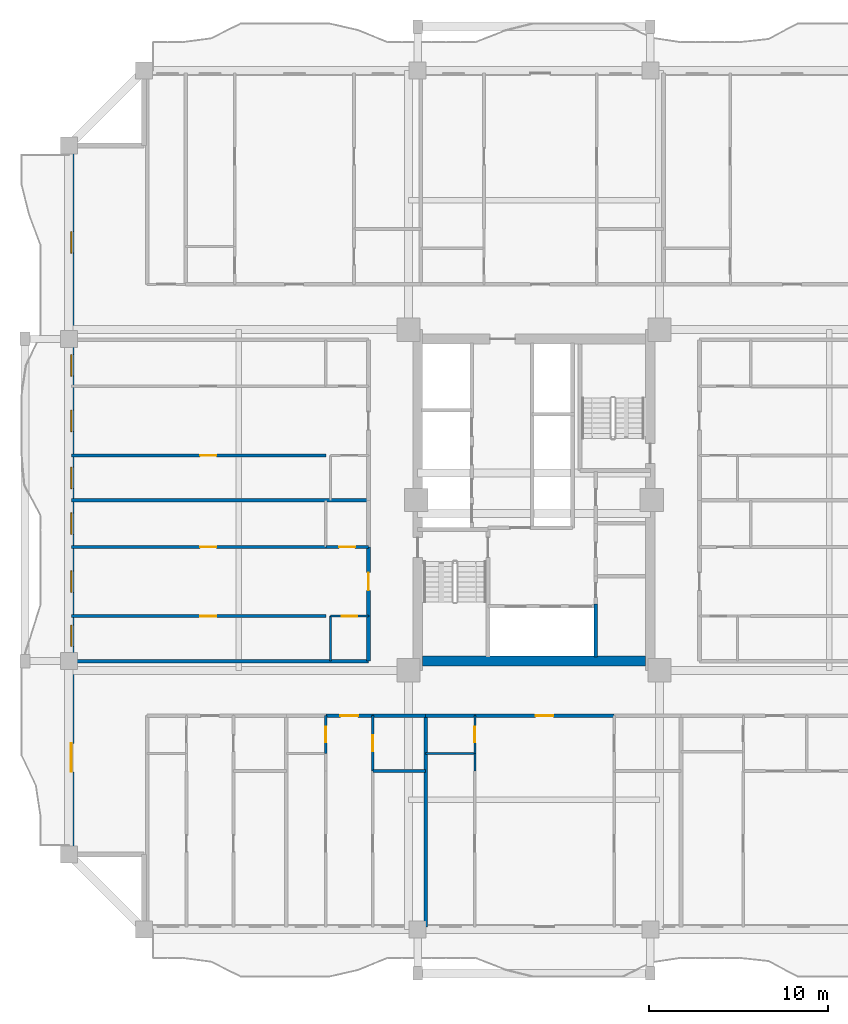
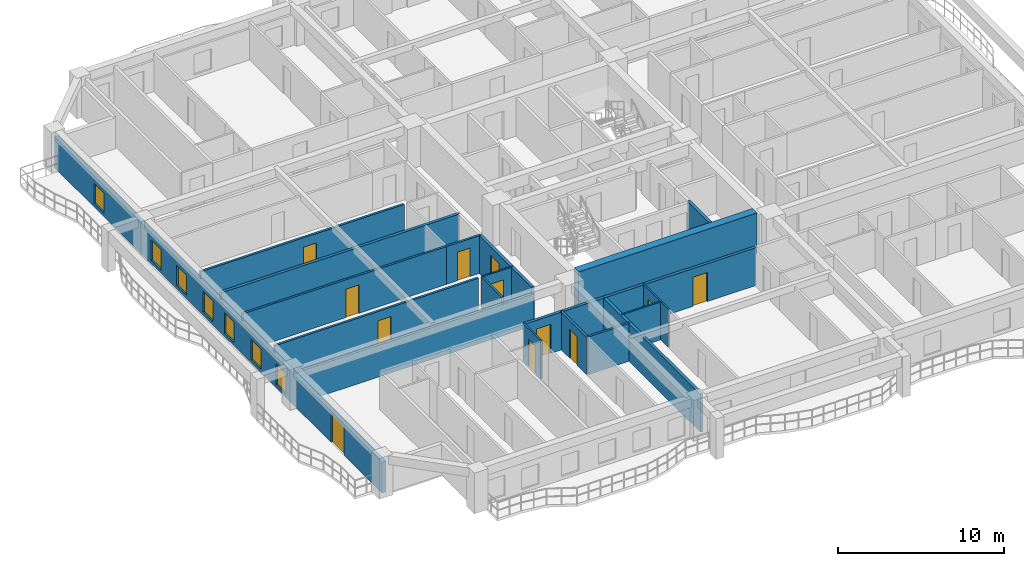
# One storey, part 3 of 13: 24 walls, 12 doors, 7 windows, 19 openings.
"""IFC4 building model written with IfcOpenShell, lengths in metres."""

from ifc_helpers import new_model, si_unit, direction, frame, frame_2d, origin, place, context, subcontext, project, spatial, rectangle, extrude, source, transform, mapped, material, layer, layer_set, type_object, element, fill, save


model = new_model("IFC4")

# Units and contexts
model_context = context("Model", 3, precision=1e-05, world=origin(), true_north=direction((0.0, 1.0)))
body_context = subcontext(model_context, "Body", "Model", "MODEL_VIEW")
ifc_project = project(units=[si_unit("LENGTHUNIT", "METRE"), si_unit("AREAUNIT", "SQUARE_METRE"), si_unit("VOLUMEUNIT", "CUBIC_METRE"), si_unit("PLANEANGLEUNIT", "RADIAN"), si_unit("MASSUNIT", "GRAM", prefix="KILO")], contexts=[model_context])

# Site, building, storey
site_placement = place(None, origin())
site = spatial("IfcSite", under=ifc_project, at=site_placement, CompositionType="ELEMENT")
building_placement = place(site_placement, origin())
building = spatial("IfcBuilding", under=site, at=building_placement, Name="Saelheon Loggia Tower", CompositionType="ELEMENT")
storey_placement = place(building_placement, frame((0.0, 0.0, 83.85009765625)))
storey = spatial("IfcBuildingStorey", under=building, at=storey_placement, Name="L26", CompositionType="ELEMENT", Elevation=83.85009765625)

# Wall
ifc_material_1 = material(Name="Concrete C50/60", Category="concrete")
ifc_layer_1 = layer(ifc_material_1, 0.550048828125)
ifc_layer_set_1 = layer_set([ifc_layer_1], Name="Concrete C50/60")
wall_type_1 = type_object("IfcWallType", Name="Wall_CoreShear_550", PredefinedType="SHEAR", material=ifc_layer_set_1)
wall_1_placement = place(storey_placement, frame((31.77490234375, 18.0, 0.0), z_axis=(0.0, 0.0, 1.0), x_axis=(1.0, 0.0, 0.0)))
element("IfcWall", 1, at=wall_1_placement, inside=storey, type_object=wall_type_1, Name="L26 Core Shear Wall South", PredefinedType="SHEAR", context=body_context, shape_type="SweptSolid", body=[
    extrude(rectangle(XDim=12.4501953125, YDim=0.550048828125, at=frame_2d((6.22509765625, 0.0))), origin(), (0.0, 0.0, 1.0), 3.0),
])

# Wall, openings, windows, door
ifc_material_2 = material(Name="Architectural Precast Concrete C40/50", Category="concrete")
ifc_layer_2 = layer(ifc_material_2, 0.280029296875)
ifc_layer_set_2 = layer_set([ifc_layer_2], Name="Architectural Precast Concrete C40/50")
wall_type_2 = type_object("IfcWallType", Name="Wall_Ext_Loggia_280", PredefinedType="SOLIDWALL", material=ifc_layer_set_2)
wall_2_placement = place(storey_placement, frame((12.139892578125, 7.199951171875, 0.0), z_axis=(0.0, 0.0, 1.0), x_axis=(0.0, 1.0, 0.0)))
wall_2 = element("IfcWall", 2, at=wall_2_placement, inside=storey, type_object=wall_type_2, Name="L26 West Loggia Inner Wall", PredefinedType="SOLIDWALL", context=body_context, shape_type="SweptSolid", body=[
    extrude(rectangle(XDim=39.60009765625, YDim=0.280029296875, at=frame_2d((19.800048828125, 0.0))), origin(), (0.0, 0.0, 1.0), 2.27978515625),
])
opening_1_placement = place(wall_2_placement, frame((4.60009765625, 0.0, 0.0)))
opening_1 = element("IfcOpeningElement", 3, at=opening_1_placement, cuts=wall_2, Name="Opening DLG-1", PredefinedType="OPENING", context=body_context, shape_type="SweptSolid", body=[
    extrude(rectangle(XDim=1.60009765625, YDim=2.14990234375, at=frame_2d((0.800048828125, 1.074951171875))), frame((0.0, 0.152099609375, 0.0), z_axis=(0.0, -1.0, 0.0), x_axis=(1.0, 0.0, 0.0)), (0.0, 0.0, 1.0), 0.303955078125),
])
opening_2_placement = place(wall_2_placement, frame((11.614013671875, 0.0, 0.25)))
opening_2 = element("IfcOpeningElement", 4, at=opening_2_placement, cuts=wall_2, Name="Opening WN-03", PredefinedType="OPENING", context=body_context, shape_type="SweptSolid", body=[
    extrude(rectangle(XDim=1.199951171875, YDim=1.5, at=frame_2d((0.60009765625, 0.75))), frame((0.0, 0.152099609375, 0.0), z_axis=(0.0, -1.0, 0.0), x_axis=(1.0, 0.0, 0.0)), (0.0, 0.0, 1.0), 0.303955078125),
])
opening_3_placement = place(wall_2_placement, frame((14.64404296875, 0.0, 0.25)))
opening_3 = element("IfcOpeningElement", 5, at=opening_3_placement, cuts=wall_2, Name="Opening WN-03", PredefinedType="OPENING", context=body_context, shape_type="SweptSolid", body=[
    extrude(rectangle(XDim=1.199951171875, YDim=1.5, at=frame_2d((0.60009765625, 0.75))), frame((0.0, 0.152099609375, 0.0), z_axis=(0.0, -1.0, 0.0), x_axis=(1.0, 0.0, 0.0)), (0.0, 0.0, 1.0), 0.303955078125),
])
opening_4_placement = place(wall_2_placement, frame((17.875, 0.0, 0.25)))
opening_4 = element("IfcOpeningElement", 6, at=opening_4_placement, cuts=wall_2, Name="Opening WN-03", PredefinedType="OPENING", context=body_context, shape_type="SweptSolid", body=[
    extrude(rectangle(XDim=1.199951171875, YDim=1.5, at=frame_2d((0.60009765625, 0.75))), frame((0.0, 0.152099609375, 0.0), z_axis=(0.0, -1.0, 0.0), x_axis=(1.0, 0.0, 0.0)), (0.0, 0.0, 1.0), 0.303955078125),
])
opening_5_placement = place(wall_2_placement, frame((20.431396484375, 0.0, 0.25)))
opening_5 = element("IfcOpeningElement", 7, at=opening_5_placement, cuts=wall_2, Name="Opening WN-03", PredefinedType="OPENING", context=body_context, shape_type="SweptSolid", body=[
    extrude(rectangle(XDim=1.199951171875, YDim=1.5, at=frame_2d((0.60009765625, 0.75))), frame((0.0, 0.152099609375, 0.0), z_axis=(0.0, -1.0, 0.0), x_axis=(1.0, 0.0, 0.0)), (0.0, 0.0, 1.0), 0.303955078125),
])
opening_6_placement = place(wall_2_placement, frame((23.618896484375, 0.0, 0.25)))
opening_6 = element("IfcOpeningElement", 8, at=opening_6_placement, cuts=wall_2, Name="Opening WN-03", PredefinedType="OPENING", context=body_context, shape_type="SweptSolid", body=[
    extrude(rectangle(XDim=1.199951171875, YDim=1.5, at=frame_2d((0.60009765625, 0.75))), frame((0.0, 0.152099609375, 0.0), z_axis=(0.0, -1.0, 0.0), x_axis=(1.0, 0.0, 0.0)), (0.0, 0.0, 1.0), 0.303955078125),
])
opening_7_placement = place(wall_2_placement, frame((26.717529296875, 0.0, 0.25)))
opening_7 = element("IfcOpeningElement", 9, at=opening_7_placement, cuts=wall_2, Name="Opening WN-03", PredefinedType="OPENING", context=body_context, shape_type="SweptSolid", body=[
    extrude(rectangle(XDim=1.199951171875, YDim=1.5, at=frame_2d((0.60009765625, 0.75))), frame((0.0, 0.152099609375, 0.0), z_axis=(0.0, -1.0, 0.0), x_axis=(1.0, 0.0, 0.0)), (0.0, 0.0, 1.0), 0.303955078125),
])
opening_8_placement = place(wall_2_placement, frame((33.60009765625, 0.0, 0.25)))
opening_8 = element("IfcOpeningElement", 10, at=opening_8_placement, cuts=wall_2, Name="Opening WN-03", PredefinedType="OPENING", context=body_context, shape_type="SweptSolid", body=[
    extrude(rectangle(XDim=1.199951171875, YDim=1.5, at=frame_2d((0.60009765625, 0.75))), frame((0.0, 0.152099609375, 0.0), z_axis=(0.0, -1.0, 0.0), x_axis=(1.0, 0.0, 0.0)), (0.0, 0.0, 1.0), 0.303955078125),
])
ifc_material_3 = material(Name="Thermal-Break Aluminium and Triple Low-E Glass", Category="aluminium")
window_type = type_object("IfcWindowType", Name="Win_Bedroom_1200x1500", PartitioningType="SINGLE_PANEL", PredefinedType="WINDOW", material=ifc_material_3)
shared_shape_1 = source(origin(), body_context, "Body", "SweptSolid", [
    extrude(rectangle(XDim=1.199951171875, YDim=1.5, at=frame_2d((0.60009765625, 0.75))), frame((0.0, 0.030029296875, 0.0), z_axis=(0.0, -1.0, 0.0), x_axis=(1.0, 0.0, 0.0)), (0.0, 0.0, 1.0), 0.06005859375),
])
window_1_placement = place(opening_2_placement, origin())
window_1 = element("IfcWindow", 11, at=window_1_placement, inside=storey, type_object=window_type, Name="L26 W Dwelling Window 2", OverallHeight=1.5, OverallWidth=1.199951171875, PartitioningType="SINGLE_PANEL", PredefinedType="WINDOW", context=body_context, shape_type="MappedRepresentation", body=[
    mapped(shared_shape_1, transform((0.0, 0.0, 0.0), scale=1.0)),
])
fill(opening_2, window_1)
window_2_placement = place(opening_3_placement, origin())
window_2 = element("IfcWindow", 12, at=window_2_placement, inside=storey, type_object=window_type, Name="L26 W Dwelling Window 3", OverallHeight=1.5, OverallWidth=1.199951171875, PartitioningType="SINGLE_PANEL", PredefinedType="WINDOW", context=body_context, shape_type="MappedRepresentation", body=[
    mapped(shared_shape_1, transform((0.0, 0.0, 0.0), scale=1.0)),
])
fill(opening_3, window_2)
window_3_placement = place(opening_4_placement, origin())
window_3 = element("IfcWindow", 13, at=window_3_placement, inside=storey, type_object=window_type, Name="L26 W Dwelling Window 4", OverallHeight=1.5, OverallWidth=1.199951171875, PartitioningType="SINGLE_PANEL", PredefinedType="WINDOW", context=body_context, shape_type="MappedRepresentation", body=[
    mapped(shared_shape_1, transform((0.0, 0.0, 0.0), scale=1.0)),
])
fill(opening_4, window_3)
window_4_placement = place(opening_5_placement, origin())
window_4 = element("IfcWindow", 14, at=window_4_placement, inside=storey, type_object=window_type, Name="L26 W Dwelling Window 5", OverallHeight=1.5, OverallWidth=1.199951171875, PartitioningType="SINGLE_PANEL", PredefinedType="WINDOW", context=body_context, shape_type="MappedRepresentation", body=[
    mapped(shared_shape_1, transform((0.0, 0.0, 0.0), scale=1.0)),
])
fill(opening_5, window_4)
window_5_placement = place(opening_6_placement, origin())
window_5 = element("IfcWindow", 15, at=window_5_placement, inside=storey, type_object=window_type, Name="L26 W Dwelling Window 6", OverallHeight=1.5, OverallWidth=1.199951171875, PartitioningType="SINGLE_PANEL", PredefinedType="WINDOW", context=body_context, shape_type="MappedRepresentation", body=[
    mapped(shared_shape_1, transform((0.0, 0.0, 0.0), scale=1.0)),
])
fill(opening_6, window_5)
window_6_placement = place(opening_7_placement, origin())
window_6 = element("IfcWindow", 16, at=window_6_placement, inside=storey, type_object=window_type, Name="L26 W Dwelling Window 7", OverallHeight=1.5, OverallWidth=1.199951171875, PartitioningType="SINGLE_PANEL", PredefinedType="WINDOW", context=body_context, shape_type="MappedRepresentation", body=[
    mapped(shared_shape_1, transform((0.0, 0.0, 0.0), scale=1.0)),
])
fill(opening_7, window_6)
window_7_placement = place(opening_8_placement, origin())
window_7 = element("IfcWindow", 17, at=window_7_placement, inside=storey, type_object=window_type, Name="L26 W Dwelling Window 8", OverallHeight=1.5, OverallWidth=1.199951171875, PartitioningType="SINGLE_PANEL", PredefinedType="WINDOW", context=body_context, shape_type="MappedRepresentation", body=[
    mapped(shared_shape_1, transform((0.0, 0.0, 0.0), scale=1.0)),
])
fill(opening_8, window_7)
ifc_material_4 = material(Name="Thermal-Break Aluminium Sliding Glazed Door", Category="aluminium")
door_type_1 = type_object("IfcDoorType", Name="Door_LoggiaSlide_1600", OperationType="SLIDING_TO_LEFT", PredefinedType="DOOR", material=ifc_material_4)
shared_shape_2 = source(origin(), body_context, "Body", "SweptSolid", [
    extrude(rectangle(XDim=1.60009765625, YDim=2.14990234375, at=frame_2d((0.800048828125, 1.074951171875))), frame((0.0, 0.02490234375, 0.0), z_axis=(0.0, -1.0, 0.0), x_axis=(1.0, 0.0, 0.0)), (0.0, 0.0, 1.0), 0.050048828125),
])
door_1_placement = place(opening_1_placement, origin())
door_1 = element("IfcDoor", 18, at=door_1_placement, inside=storey, type_object=door_type_1, Name="L26 W Loggia Access Door", OperationType="SLIDING_TO_LEFT", OverallHeight=2.14990234375, OverallWidth=1.60009765625, PredefinedType="DOOR", context=body_context, shape_type="MappedRepresentation", body=[
    mapped(shared_shape_2, transform((0.0, 0.0, 0.0), scale=1.0)),
])
fill(opening_1, door_1)

# Wall
ifc_material_5 = material(Name="Lightweight Autoclaved Aerated Concrete Block and Acoustic Gypsum", Category="concrete")
ifc_layer_3 = layer(ifc_material_5, 0.14990234375)
ifc_layer_set_3 = layer_set([ifc_layer_3], Name="Lightweight Autoclaved Aerated Concrete Block and Acoustic Gypsum")
wall_type_3 = type_object("IfcWallType", Name="Wall_Part_150", PredefinedType="PARTITIONING", material=ifc_layer_set_3)
wall_3_placement = place(storey_placement, frame((28.98876953125, 11.85009765625, 0.0), z_axis=(0.0, 0.0, 1.0), x_axis=(1.0, 0.0, 0.0)))
element("IfcWall", 19, at=wall_3_placement, inside=storey, type_object=wall_type_3, Name="L26 S Partition V18", PredefinedType="PARTITIONING", context=body_context, shape_type="SweptSolid", body=[
    extrude(rectangle(XDim=2.95751953125, YDim=0.14990234375, at=frame_2d((1.478759765625, 0.0))), origin(), (0.0, 0.0, 1.0), 2.789794921875),
])

# Wall, opening, door
wall_4_placement = place(storey_placement, frame((28.98876953125, 14.949951171875, 0.0), z_axis=(0.0, 0.0, 1.0), x_axis=(0.0, -1.0, 0.0)))
wall_4 = element("IfcWall", 20, at=wall_4_placement, inside=storey, type_object=wall_type_3, Name="L26 S Partition U22", PredefinedType="PARTITIONING", context=body_context, shape_type="SweptSolid", body=[
    extrude(rectangle(XDim=3.099853515625, YDim=0.14990234375, at=frame_2d((1.5498046875, 0.0))), origin(), (0.0, 0.0, 1.0), 2.789794921875),
])
opening_9_placement = place(wall_4_placement, frame((1.10009765625, 0.0, 0.0)))
opening_9 = element("IfcOpeningElement", 21, at=opening_9_placement, cuts=wall_4, Name="Opening D-IN2", PredefinedType="OPENING", context=body_context, shape_type="SweptSolid", body=[
    extrude(rectangle(XDim=0.89990234375, YDim=2.10009765625, at=frame_2d((0.449951171875, 1.050048828125))), frame((0.0, 0.0869140625, 0.0), z_axis=(0.0, -1.0, 0.0), x_axis=(1.0, 0.0, 0.0)), (0.0, 0.0, 1.0), 0.173828125),
])
ifc_material_6 = material(Name="Engineered Oak Flush Door", Category="timber")
door_type_2 = type_object("IfcDoorType", Name="Door_Int_900", OperationType="NOTDEFINED", PredefinedType="DOOR", material=ifc_material_6)
shared_shape_3 = source(origin(), body_context, "Body", "SweptSolid", [
    extrude(rectangle(XDim=0.89990234375, YDim=2.10009765625, at=frame_2d((0.449951171875, 1.050048828125))), frame((0.0, 0.02490234375, 0.0), z_axis=(0.0, -1.0, 0.0), x_axis=(1.0, 0.0, 0.0)), (0.0, 0.0, 1.0), 0.050048828125),
])
door_2_placement = place(opening_9_placement, origin())
door_2 = element("IfcDoor", 22, at=door_2_placement, inside=storey, type_object=door_type_2, Name="Unit U02 Dressing Closet Door", OperationType="SINGLE_SWING_RIGHT", OverallHeight=2.10009765625, OverallWidth=0.89990234375, PredefinedType="DOOR", context=body_context, shape_type="MappedRepresentation", body=[
    mapped(shared_shape_3, transform((0.0, 0.0, 0.0), scale=1.0)),
])
fill(opening_9, door_2)

wall_5_placement = place(storey_placement, frame((26.3701171875, 20.512939453125, 0.0), z_axis=(0.0, 0.0, 1.0), x_axis=(-1.0, 0.0, 0.0)))
wall_5 = element("IfcWall", 23, at=wall_5_placement, inside=storey, type_object=wall_type_3, Name="L26 W Partition U09", PredefinedType="PARTITIONING", context=body_context, shape_type="SweptSolid", body=[
    extrude(rectangle(XDim=14.22021484375, YDim=0.14990234375, at=frame_2d((7.110107421875, 0.0))), origin(), (0.0, 0.0, 1.0), 2.789794921875),
])
opening_10_placement = place(wall_5_placement, frame((6.125, 0.0, 0.0)))
opening_10 = element("IfcOpeningElement", 24, at=opening_10_placement, cuts=wall_5, Name="Opening D-IN2", PredefinedType="OPENING", context=body_context, shape_type="SweptSolid", body=[
    extrude(rectangle(XDim=0.89990234375, YDim=2.10009765625, at=frame_2d((0.449951171875, 1.050048828125))), frame((0.0, 0.0869140625, 0.0), z_axis=(0.0, -1.0, 0.0), x_axis=(1.0, 0.0, 0.0)), (0.0, 0.0, 1.0), 0.173828125),
])
door_3_placement = place(opening_10_placement, origin())
door_3 = element("IfcDoor", 25, at=door_3_placement, inside=storey, type_object=door_type_2, Name="Unit U08 Kitchen Door", OperationType="SINGLE_SWING_RIGHT", OverallHeight=2.10009765625, OverallWidth=0.89990234375, PredefinedType="DOOR", context=body_context, shape_type="MappedRepresentation", body=[
    mapped(shared_shape_3, transform((0.0, 0.0, 0.0), scale=1.0)),
])
fill(opening_10, door_3)

wall_6_placement = place(storey_placement, frame((28.75, 24.375, 0.0), z_axis=(0.0, 0.0, 1.0), x_axis=(-1.0, 0.0, 0.0)))
wall_6 = element("IfcWall", 26, at=wall_6_placement, inside=storey, type_object=wall_type_3, Name="L26 W Partition U10", PredefinedType="PARTITIONING", context=body_context, shape_type="SweptSolid", body=[
    extrude(rectangle(XDim=2.3798828125, YDim=0.14990234375, at=frame_2d((1.18994140625, 0.0))), origin(), (0.0, 0.0, 1.0), 2.789794921875),
])
opening_11_placement = place(wall_6_placement, frame((0.739990234375, 0.0, 0.0)))
opening_11 = element("IfcOpeningElement", 27, at=opening_11_placement, cuts=wall_6, Name="Opening D-IN2", PredefinedType="OPENING", context=body_context, shape_type="SweptSolid", body=[
    extrude(rectangle(XDim=0.89990234375, YDim=2.10009765625, at=frame_2d((0.449951171875, 1.050048828125))), frame((0.0, 0.0869140625, 0.0), z_axis=(0.0, -1.0, 0.0), x_axis=(1.0, 0.0, 0.0)), (0.0, 0.0, 1.0), 0.173828125),
])
door_4_placement = place(opening_11_placement, origin())
door_4 = element("IfcDoor", 28, at=door_4_placement, inside=storey, type_object=door_type_2, Name="Unit U08 Dressing Closet Door", OperationType="SINGLE_SWING_LEFT", OverallHeight=2.10009765625, OverallWidth=0.89990234375, PredefinedType="DOOR", context=body_context, shape_type="MappedRepresentation", body=[
    mapped(shared_shape_3, transform((0.0, 0.0, 0.0), scale=1.0)),
])
fill(opening_11, door_4)

wall_7_placement = place(storey_placement, frame((26.3701171875, 24.375, 0.0), z_axis=(0.0, 0.0, 1.0), x_axis=(-1.0, 0.0, 0.0)))
wall_7 = element("IfcWall", 29, at=wall_7_placement, inside=storey, type_object=wall_type_3, Name="L26 W Partition U11", PredefinedType="PARTITIONING", context=body_context, shape_type="SweptSolid", body=[
    extrude(rectangle(XDim=14.22021484375, YDim=0.14990234375, at=frame_2d((7.110107421875, 0.0))), origin(), (0.0, 0.0, 1.0), 2.789794921875),
])
opening_12_placement = place(wall_7_placement, frame((6.125, 0.0, 0.0)))
opening_12 = element("IfcOpeningElement", 30, at=opening_12_placement, cuts=wall_7, Name="Opening D-IN2", PredefinedType="OPENING", context=body_context, shape_type="SweptSolid", body=[
    extrude(rectangle(XDim=0.89990234375, YDim=2.10009765625, at=frame_2d((0.449951171875, 1.050048828125))), frame((0.0, 0.0869140625, 0.0), z_axis=(0.0, -1.0, 0.0), x_axis=(1.0, 0.0, 0.0)), (0.0, 0.0, 1.0), 0.173828125),
])
door_5_placement = place(opening_12_placement, origin())
door_5 = element("IfcDoor", 31, at=door_5_placement, inside=storey, type_object=door_type_2, Name="Unit U08 Bedroom 1 Door", OperationType="SINGLE_SWING_RIGHT", OverallHeight=2.10009765625, OverallWidth=0.89990234375, PredefinedType="DOOR", context=body_context, shape_type="MappedRepresentation", body=[
    mapped(shared_shape_3, transform((0.0, 0.0, 0.0), scale=1.0)),
])
fill(opening_12, door_5)

wall_8_placement = place(storey_placement, frame((26.3701171875, 29.488037109375, 0.0), z_axis=(0.0, 0.0, 1.0), x_axis=(-1.0, 0.0, 0.0)))
wall_8 = element("IfcWall", 32, at=wall_8_placement, inside=storey, type_object=wall_type_3, Name="L26 W Partition U19", PredefinedType="PARTITIONING", context=body_context, shape_type="SweptSolid", body=[
    extrude(rectangle(XDim=14.22021484375, YDim=0.14990234375, at=frame_2d((7.110107421875, 0.0))), origin(), (0.0, 0.0, 1.0), 2.789794921875),
])
opening_13_placement = place(wall_8_placement, frame((6.125, 0.0, 0.0)))
opening_13 = element("IfcOpeningElement", 33, at=opening_13_placement, cuts=wall_8, Name="Opening D-IN2", PredefinedType="OPENING", context=body_context, shape_type="SweptSolid", body=[
    extrude(rectangle(XDim=0.89990234375, YDim=2.10009765625, at=frame_2d((0.449951171875, 1.050048828125))), frame((0.0, 0.0869140625, 0.0), z_axis=(0.0, -1.0, 0.0), x_axis=(1.0, 0.0, 0.0)), (0.0, 0.0, 1.0), 0.173828125),
])
door_6_placement = place(opening_13_placement, origin())
door_6 = element("IfcDoor", 34, at=door_6_placement, inside=storey, type_object=door_type_2, Name="Unit U09 Kitchen Door", OperationType="SINGLE_SWING_LEFT", OverallHeight=2.10009765625, OverallWidth=0.89990234375, PredefinedType="DOOR", context=body_context, shape_type="MappedRepresentation", body=[
    mapped(shared_shape_3, transform((0.0, 0.0, 0.0), scale=1.0)),
])
fill(opening_13, door_6)

ifc_material_7 = material(Name="Double Acoustic Stud and Fireboard Partition", Category="gypsum")
ifc_layer_4 = layer(ifc_material_7, 0.199951171875)
ifc_layer_set_4 = layer_set([ifc_layer_4], Name="Double Acoustic Stud and Fireboard Partition")
wall_type_4 = type_object("IfcWallType", Name="Wall_Party_200", PredefinedType="PARTITIONING", material=ifc_layer_set_4)
wall_9_placement = place(storey_placement, frame((26.36328125, 14.949951171875, 0.0), z_axis=(0.0, 0.0, 1.0), x_axis=(1.0, 0.0, 0.0)))
wall_9 = element("IfcWall", 35, at=wall_9_placement, inside=storey, type_object=wall_type_4, Name="L26 S Partition V15", PredefinedType="PARTITIONING", context=body_context, shape_type="SweptSolid", body=[
    extrude(rectangle(XDim=2.62548828125, YDim=0.199951171875, at=frame_2d((1.312744140625, 0.0))), origin(), (0.0, 0.0, 1.0), 2.789794921875),
])
opening_14_placement = place(wall_9_placement, frame((0.812744140625, 0.0, 0.0)))
opening_14 = element("IfcOpeningElement", 36, at=opening_14_placement, cuts=wall_9, Name="Opening D-FD1", PredefinedType="OPENING", context=body_context, shape_type="SweptSolid", body=[
    extrude(rectangle(XDim=1.0, YDim=2.14990234375, at=frame_2d((0.5, 1.074951171875))), frame((0.0, 0.112060546875, 0.0), z_axis=(0.0, -1.0, 0.0), x_axis=(1.0, 0.0, 0.0)), (0.0, 0.0, 1.0), 0.223876953125),
])
ifc_material_8 = material(Name="Fire-Rated Engineered Timber Entrance Door", Category="wood")
door_type_3 = type_object("IfcDoorType", Name="Door_Flat_FD30S", OperationType="NOTDEFINED", PredefinedType="DOOR", material=ifc_material_8)
shared_shape_4 = source(origin(), body_context, "Body", "SweptSolid", [
    extrude(rectangle(XDim=1.0, YDim=2.14990234375, at=frame_2d((0.5, 1.074951171875))), frame((0.0, 0.02490234375, 0.0), z_axis=(0.0, -1.0, 0.0), x_axis=(1.0, 0.0, 0.0)), (0.0, 0.0, 1.0), 0.050048828125),
])
door_7_placement = place(opening_14_placement, origin())
door_7 = element("IfcDoor", 37, at=door_7_placement, inside=storey, type_object=door_type_3, Name="Unit U02 Entrance Door", OperationType="SINGLE_SWING_LEFT", OverallHeight=2.14990234375, OverallWidth=1.0, PredefinedType="DOOR", context=body_context, shape_type="MappedRepresentation", body=[
    mapped(shared_shape_4, transform((0.0, 0.0, 0.0), scale=1.0)),
])
fill(opening_14, door_7)

# Walls
wall_10_placement = place(storey_placement, frame((28.98876953125, 14.949951171875, 0.0), z_axis=(0.0, 0.0, 1.0), x_axis=(1.0, 0.0, 0.0)))
element("IfcWall", 38, at=wall_10_placement, inside=storey, type_object=wall_type_4, Name="L26 S Partition V16", PredefinedType="PARTITIONING", context=body_context, shape_type="SweptSolid", body=[
    extrude(rectangle(XDim=2.95751953125, YDim=0.199951171875, at=frame_2d((1.478759765625, 0.0))), origin(), (0.0, 0.0, 1.0), 2.789794921875),
])
wall_11_placement = place(storey_placement, frame((31.9462890625, 14.949951171875, 0.0), z_axis=(0.0, 0.0, 1.0), x_axis=(0.0, -1.0, 0.0)))
element("IfcWall", 39, at=wall_11_placement, inside=storey, type_object=wall_type_4, Name="L26 S Partition U24", PredefinedType="PARTITIONING", context=body_context, shape_type="SweptSolid", body=[
    extrude(rectangle(XDim=11.800048828125, YDim=0.199951171875, at=frame_2d((5.89990234375, 0.0))), origin(), (0.0, 0.0, 1.0), 2.789794921875),
])
wall_12_placement = place(storey_placement, frame((31.9462890625, 14.949951171875, 0.0), z_axis=(0.0, 0.0, 1.0), x_axis=(1.0, 0.0, 0.0)))
element("IfcWall", 40, at=wall_12_placement, inside=storey, type_object=wall_type_4, Name="L26 S Partition V25", PredefinedType="PARTITIONING", context=body_context, shape_type="SweptSolid", body=[
    extrude(rectangle(XDim=2.75, YDim=0.199951171875, at=frame_2d((1.375, 0.0))), origin(), (0.0, 0.0, 1.0), 2.789794921875),
])

# Wall, opening, door
wall_13_placement = place(storey_placement, frame((34.6962890625, 14.949951171875, 0.0), z_axis=(0.0, 0.0, 1.0), x_axis=(1.0, 0.0, 0.0)))
wall_13 = element("IfcWall", 41, at=wall_13_placement, inside=storey, type_object=wall_type_4, Name="L26 S Partition V26", PredefinedType="PARTITIONING", context=body_context, shape_type="SweptSolid", body=[
    extrude(rectangle(XDim=7.78369140625, YDim=0.199951171875, at=frame_2d((3.891845703125, 0.0))), origin(), (0.0, 0.0, 1.0), 2.789794921875),
])
opening_15_placement = place(wall_13_placement, frame((3.391845703125, 0.0, 0.0)))
opening_15 = element("IfcOpeningElement", 42, at=opening_15_placement, cuts=wall_13, Name="Opening D-FD1", PredefinedType="OPENING", context=body_context, shape_type="SweptSolid", body=[
    extrude(rectangle(XDim=1.0, YDim=2.14990234375, at=frame_2d((0.5, 1.074951171875))), frame((0.0, 0.112060546875, 0.0), z_axis=(0.0, -1.0, 0.0), x_axis=(1.0, 0.0, 0.0)), (0.0, 0.0, 1.0), 0.223876953125),
])
door_8_placement = place(opening_15_placement, origin())
door_8 = element("IfcDoor", 43, at=door_8_placement, inside=storey, type_object=door_type_3, Name="Unit U03 Entrance Door", OperationType="SINGLE_SWING_RIGHT", OverallHeight=2.14990234375, OverallWidth=1.0, PredefinedType="DOOR", context=body_context, shape_type="MappedRepresentation", body=[
    mapped(shared_shape_4, transform((0.0, 0.0, 0.0), scale=1.0)),
])
fill(opening_15, door_8)

# Walls
wall_14_placement = place(storey_placement, frame((28.75, 18.0, 0.0), z_axis=(0.0, 0.0, 1.0), x_axis=(-1.0, 0.0, 0.0)))
element("IfcWall", 44, at=wall_14_placement, inside=storey, type_object=wall_type_4, Name="L26 W Partition U01", PredefinedType="PARTITIONING", context=body_context, shape_type="SweptSolid", body=[
    extrude(rectangle(XDim=16.60009765625, YDim=0.199951171875, at=frame_2d((8.300048828125, 0.0))), origin(), (0.0, 0.0, 1.0), 2.33984375),
])
wall_15_placement = place(storey_placement, frame((28.75, 18.0, 0.0), z_axis=(0.0, 0.0, 1.0), x_axis=(0.0, 1.0, 0.0)))
element("IfcWall", 45, at=wall_15_placement, inside=storey, type_object=wall_type_4, Name="L26 W Partition V03", PredefinedType="PARTITIONING", context=body_context, shape_type="SweptSolid", body=[
    extrude(rectangle(XDim=2.512939453125, YDim=0.199951171875, at=frame_2d((1.25634765625, 0.0))), origin(), (0.0, 0.0, 1.0), 2.789794921875),
])

# Wall, opening, door
wall_16_placement = place(storey_placement, frame((28.75, 20.512939453125, 0.0), z_axis=(0.0, 0.0, 1.0), x_axis=(0.0, 1.0, 0.0)))
wall_16 = element("IfcWall", 46, at=wall_16_placement, inside=storey, type_object=wall_type_4, Name="L26 W Partition V04", PredefinedType="PARTITIONING", context=body_context, shape_type="SweptSolid", body=[
    extrude(rectangle(XDim=3.862060546875, YDim=0.199951171875, at=frame_2d((1.93115234375, 0.0))), origin(), (0.0, 0.0, 1.0), 2.789794921875),
])
opening_16_placement = place(wall_16_placement, frame((1.430908203125, 0.0, 0.0)))
opening_16 = element("IfcOpeningElement", 47, at=opening_16_placement, cuts=wall_16, Name="Opening D-FD1", PredefinedType="OPENING", context=body_context, shape_type="SweptSolid", body=[
    extrude(rectangle(XDim=1.0, YDim=2.14990234375, at=frame_2d((0.5, 1.074951171875))), frame((0.0, 0.112060546875, 0.0), z_axis=(0.0, -1.0, 0.0), x_axis=(1.0, 0.0, 0.0)), (0.0, 0.0, 1.0), 0.223876953125),
])
door_9_placement = place(opening_16_placement, origin())
door_9 = element("IfcDoor", 48, at=door_9_placement, inside=storey, type_object=door_type_3, Name="Unit U08 Entrance Door", OperationType="SINGLE_SWING_RIGHT", OverallHeight=2.14990234375, OverallWidth=1.0, PredefinedType="DOOR", context=body_context, shape_type="MappedRepresentation", body=[
    mapped(shared_shape_4, transform((0.0, 0.0, 0.0), scale=1.0)),
])
fill(opening_16, door_9)

# Walls
wall_17_placement = place(storey_placement, frame((28.75, 26.97509765625, 0.0), z_axis=(0.0, 0.0, 1.0), x_axis=(-1.0, 0.0, 0.0)))
element("IfcWall", 49, at=wall_17_placement, inside=storey, type_object=wall_type_4, Name="L26 W Partition U12", PredefinedType="PARTITIONING", context=body_context, shape_type="SweptSolid", body=[
    extrude(rectangle(XDim=16.60009765625, YDim=0.199951171875, at=frame_2d((8.300048828125, 0.0))), origin(), (0.0, 0.0, 1.0), 2.789794921875),
])
ifc_material_9 = material(Name="Concrete C40/50", Category="concrete")
ifc_layer_5 = layer(ifc_material_9, 0.199951171875)
ifc_layer_set_5 = layer_set([ifc_layer_5], Name="Concrete C40/50")
wall_type_5 = type_object("IfcWallType", Name="Wall_Shaft_200", PredefinedType="PARTITIONING", material=ifc_layer_set_5)
wall_18_placement = place(storey_placement, frame((41.449951171875, 18.219970703125, 0.0), z_axis=(0.0, 0.0, 1.0), x_axis=(0.0, 1.0, 0.0)))
element("IfcWall", 50, at=wall_18_placement, inside=storey, type_object=wall_type_5, Name="CW-INT-L26-BOH-W0", PredefinedType="PARTITIONING", context=body_context, shape_type="SweptSolid", body=[
    extrude(rectangle(XDim=2.9599609375, YDim=0.199951171875, at=frame_2d((1.47998046875, 0.0))), origin(), (0.0, 0.0, 1.0), 2.789794921875),
])

# Wall, opening, door
ifc_material_10 = material(Name="Moisture-Resistant Cement Board Partition", Category="gypsum")
ifc_layer_6 = layer(ifc_material_10, 0.1201171875)
ifc_layer_set_6 = layer_set([ifc_layer_6], Name="Moisture-Resistant Cement Board Partition")
wall_type_6 = type_object("IfcWallType", Name="Wall_WetPart_120", PredefinedType="PARTITIONING", material=ifc_layer_set_6)
wall_19_placement = place(storey_placement, frame((26.36328125, 14.949951171875, 0.0), z_axis=(0.0, 0.0, 1.0), x_axis=(0.0, -1.0, 0.0)))
wall_19 = element("IfcWall", 51, at=wall_19_placement, inside=storey, type_object=wall_type_6, Name="L26 S Partition U19", PredefinedType="PARTITIONING", context=body_context, shape_type="SweptSolid", body=[
    extrude(rectangle(XDim=2.119873046875, YDim=0.1201171875, at=frame_2d((1.06005859375, 0.0))), origin(), (0.0, 0.0, 1.0), 2.789794921875),
])
opening_17_placement = place(wall_19_placement, frame((0.635009765625, 0.0, 0.0)))
opening_17 = element("IfcOpeningElement", 52, at=opening_17_placement, cuts=wall_19, Name="Opening D-BT1", PredefinedType="OPENING", context=body_context, shape_type="SweptSolid", body=[
    extrude(rectangle(XDim=0.85009765625, YDim=2.050048828125, at=frame_2d((0.425048828125, 1.02490234375))), frame((0.0, 0.072021484375, 0.0), z_axis=(0.0, -1.0, 0.0), x_axis=(1.0, 0.0, 0.0)), (0.0, 0.0, 1.0), 0.14404296875),
])
ifc_material_11 = material(Name="Moisture-Resistant Laminate Timber Door", Category="wood")
door_type_4 = type_object("IfcDoorType", Name="Door_Bath_850", OperationType="NOTDEFINED", PredefinedType="DOOR", material=ifc_material_11)
shared_shape_5 = source(origin(), body_context, "Body", "SweptSolid", [
    extrude(rectangle(XDim=0.85009765625, YDim=2.050048828125, at=frame_2d((0.425048828125, 1.02490234375))), frame((0.0, 0.02490234375, 0.0), z_axis=(0.0, -1.0, 0.0), x_axis=(1.0, 0.0, 0.0)), (0.0, 0.0, 1.0), 0.050048828125),
])
door_10_placement = place(opening_17_placement, origin())
door_10 = element("IfcDoor", 53, at=door_10_placement, inside=storey, type_object=door_type_4, Name="Unit U02 Bathroom Door", OperationType="SINGLE_SWING_RIGHT", OverallHeight=2.050048828125, OverallWidth=0.85009765625, PredefinedType="DOOR", context=body_context, shape_type="MappedRepresentation", body=[
    mapped(shared_shape_5, transform((0.0, 0.0, 0.0), scale=1.0)),
])
fill(opening_17, door_10)

# Wall
wall_20_placement = place(storey_placement, frame((31.9462890625, 12.830078125, 0.0), z_axis=(0.0, 0.0, 1.0), x_axis=(1.0, 0.0, 0.0)))
element("IfcWall", 54, at=wall_20_placement, inside=storey, type_object=wall_type_6, Name="L26 S Partition V28", PredefinedType="PARTITIONING", context=body_context, shape_type="SweptSolid", body=[
    extrude(rectangle(XDim=2.75, YDim=0.1201171875, at=frame_2d((1.375, 0.0))), origin(), (0.0, 0.0, 1.0), 2.789794921875),
])

# Wall, opening, door
wall_21_placement = place(storey_placement, frame((34.6962890625, 14.949951171875, 0.0), z_axis=(0.0, 0.0, 1.0), x_axis=(0.0, -1.0, 0.0)))
wall_21 = element("IfcWall", 55, at=wall_21_placement, inside=storey, type_object=wall_type_6, Name="L26 S Partition U30", PredefinedType="PARTITIONING", context=body_context, shape_type="SweptSolid", body=[
    extrude(rectangle(XDim=2.119873046875, YDim=0.1201171875, at=frame_2d((1.06005859375, 0.0))), origin(), (0.0, 0.0, 1.0), 2.789794921875),
])
opening_18_placement = place(wall_21_placement, frame((0.635009765625, 0.0, 0.0)))
opening_18 = element("IfcOpeningElement", 56, at=opening_18_placement, cuts=wall_21, Name="Opening D-BT1", PredefinedType="OPENING", context=body_context, shape_type="SweptSolid", body=[
    extrude(rectangle(XDim=0.85009765625, YDim=2.050048828125, at=frame_2d((0.425048828125, 1.02490234375))), frame((0.0, 0.072021484375, 0.0), z_axis=(0.0, -1.0, 0.0), x_axis=(1.0, 0.0, 0.0)), (0.0, 0.0, 1.0), 0.14404296875),
])
door_11_placement = place(opening_18_placement, origin())
door_11 = element("IfcDoor", 57, at=door_11_placement, inside=storey, type_object=door_type_4, Name="Unit U03 Bathroom Door", OperationType="SINGLE_SWING_LEFT", OverallHeight=2.050048828125, OverallWidth=0.85009765625, PredefinedType="DOOR", context=body_context, shape_type="MappedRepresentation", body=[
    mapped(shared_shape_5, transform((0.0, 0.0, 0.0), scale=1.0)),
])
fill(opening_18, door_11)

# Walls
wall_22_placement = place(storey_placement, frame((34.6962890625, 12.830078125, 0.0), z_axis=(0.0, 0.0, 1.0), x_axis=(0.0, -1.0, 0.0)))
element("IfcWall", 58, at=wall_22_placement, inside=storey, type_object=wall_type_6, Name="L26 S Partition U31", PredefinedType="PARTITIONING", context=body_context, shape_type="SweptSolid", body=[
    extrude(rectangle(XDim=0.97998046875, YDim=0.1201171875, at=frame_2d((0.489990234375, 0.0))), origin(), (0.0, 0.0, 1.0), 2.789794921875),
])
wall_23_placement = place(storey_placement, frame((26.6298828125, 18.0, 0.0), z_axis=(0.0, 0.0, 1.0), x_axis=(0.0, 1.0, 0.0)))
element("IfcWall", 59, at=wall_23_placement, inside=storey, type_object=wall_type_6, Name="L26 W Partition V06", PredefinedType="PARTITIONING", context=body_context, shape_type="SweptSolid", body=[
    extrude(rectangle(XDim=2.512939453125, YDim=0.1201171875, at=frame_2d((1.25634765625, 0.0))), origin(), (0.0, 0.0, 1.0), 2.789794921875),
])

# Wall, opening, door
wall_24_placement = place(storey_placement, frame((28.75, 20.512939453125, 0.0), z_axis=(0.0, 0.0, 1.0), x_axis=(-1.0, 0.0, 0.0)))
wall_24 = element("IfcWall", 60, at=wall_24_placement, inside=storey, type_object=wall_type_6, Name="L26 W Partition U08", PredefinedType="PARTITIONING", context=body_context, shape_type="SweptSolid", body=[
    extrude(rectangle(XDim=2.1201171875, YDim=0.1201171875, at=frame_2d((1.06005859375, 0.0))), origin(), (0.0, 0.0, 1.0), 2.789794921875),
])
opening_19_placement = place(wall_24_placement, frame((0.635009765625, 0.0, 0.0)))
opening_19 = element("IfcOpeningElement", 61, at=opening_19_placement, cuts=wall_24, Name="Opening D-BT1", PredefinedType="OPENING", context=body_context, shape_type="SweptSolid", body=[
    extrude(rectangle(XDim=0.85009765625, YDim=2.050048828125, at=frame_2d((0.425048828125, 1.02490234375))), frame((0.0, 0.072021484375, 0.0), z_axis=(0.0, -1.0, 0.0), x_axis=(1.0, 0.0, 0.0)), (0.0, 0.0, 1.0), 0.14404296875),
])
door_12_placement = place(opening_19_placement, origin())
door_12 = element("IfcDoor", 62, at=door_12_placement, inside=storey, type_object=door_type_4, Name="Unit U08 Bathroom Door", OperationType="SINGLE_SWING_LEFT", OverallHeight=2.050048828125, OverallWidth=0.85009765625, PredefinedType="DOOR", context=body_context, shape_type="MappedRepresentation", body=[
    mapped(shared_shape_5, transform((0.0, 0.0, 0.0), scale=1.0)),
])
fill(opening_19, door_12)

save(model, "model.ifc")
